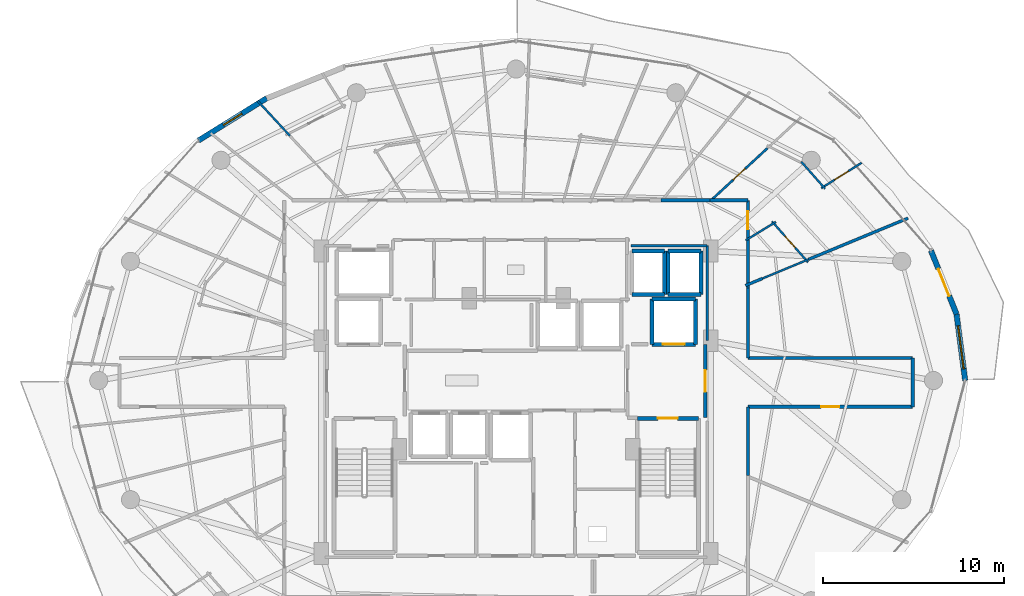
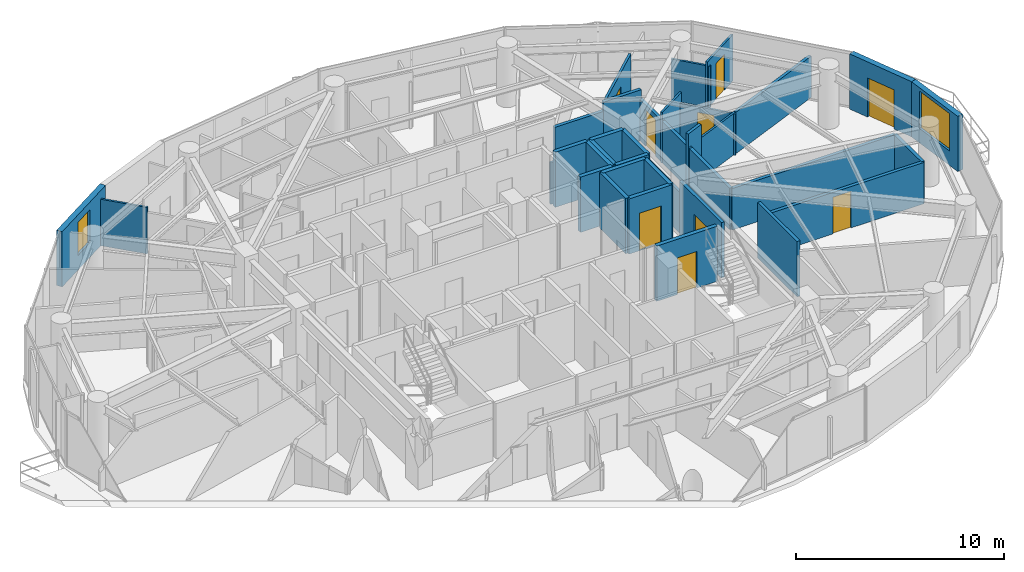
# One storey, part 24 of 28: 36 walls, 9 doors, 2 windows, 11 openings.
"""IFC4 building model written with IfcOpenShell, lengths in metres."""

from ifc_helpers import new_model, si_unit, direction, frame, frame_2d, origin, place, context, subcontext, project, spatial, rectangle, extrude, material, layer, layer_set, type_object, element, fill, save


model = new_model("IFC4")

# Units and contexts
model_context = context("Model", 3, precision=1e-05, world=origin(), true_north=direction((0.0, 1.0)))
body_context = subcontext(model_context, "Body", "Model", "MODEL_VIEW")
ifc_project = project(units=[si_unit("LENGTHUNIT", "METRE"), si_unit("AREAUNIT", "SQUARE_METRE"), si_unit("VOLUMEUNIT", "CUBIC_METRE"), si_unit("PLANEANGLEUNIT", "RADIAN"), si_unit("MASSUNIT", "GRAM", prefix="KILO")], contexts=[model_context])

# Site, building, storey
site_placement = place(None, origin())
site = spatial("IfcSite", under=ifc_project, at=site_placement, CompositionType="ELEMENT")
building_placement = place(site_placement, origin())
building = spatial("IfcBuilding", under=site, at=building_placement, Name="Vorneva Point Tower", CompositionType="ELEMENT")
storey_placement = place(building_placement, frame((0.0, 0.0, 139.60009765625)))
storey = spatial("IfcBuildingStorey", under=building, at=storey_placement, Name="L37", CompositionType="ELEMENT", Elevation=139.60009765625)

# Wall, opening, door
ifc_material_1 = material(Name="Concrete B60 (C50/60)", Category="concrete")
ifc_layer_1 = layer(ifc_material_1, 0.5)
ifc_layer_set_1 = layer_set([ifc_layer_1], Name="Concrete B60 (C50/60)")
wall_type_1 = type_object("IfcWallType", Name="WL-CORE-500", PredefinedType="SHEAR", material=ifc_layer_set_1)
wall_1_placement = place(storey_placement, frame((45.5, 28.0, 0.0), z_axis=(0.0, 0.0, 1.0), x_axis=(1.0, 0.0, 0.0)))
wall_1 = element("IfcWall", 1, at=wall_1_placement, inside=storey, type_object=wall_type_1, Name="L37 Lift FFL2 Shaft Wall -Y", PredefinedType="SHEAR", context=body_context, shape_type="SweptSolid", body=[
    extrude(rectangle(XDim=2.39990234375, YDim=0.219970703125, at=frame_2d((1.199951171875, 0.0))), origin(), (0.0, 0.0, 1.0), 3.239990234375),
])
opening_1_placement = place(wall_1_placement, frame((0.60009765625, 0.0, 0.0)))
opening_1 = element("IfcOpeningElement", 2, at=opening_1_placement, cuts=wall_1, Name="Opening LD-02", PredefinedType="OPENING", context=body_context, shape_type="SweptSolid", body=[
    extrude(rectangle(XDim=1.199951171875, YDim=2.199951171875, at=frame_2d((0.60009765625, 1.10009765625))), frame((0.0, 0.125, 0.0), z_axis=(0.0, -1.0, 0.0), x_axis=(1.0, 0.0, 0.0)), (0.0, 0.0, 1.0), 0.249755859375),
])
ifc_material_2 = material(Name="Brushed stainless steel S304", Category="steel")
door_type_1 = type_object("IfcDoorType", Name="LD-FIRE-1200", OperationType="SLIDING_TO_LEFT", PredefinedType="DOOR", material=ifc_material_2)
door_1_placement = place(opening_1_placement, origin())
door_1 = element("IfcDoor", 3, at=door_1_placement, inside=storey, type_object=door_type_1, Name="L37 Lift FFL2 Sliding Landing Door", OperationType="SLIDING_TO_LEFT", OverallHeight=2.199951171875, OverallWidth=1.199951171875, PredefinedType="DOOR", context=body_context, shape_type="SweptSolid", body=[
    extrude(rectangle(XDim=1.199951171875, YDim=2.199951171875, at=frame_2d((0.60009765625, 1.10009765625))), frame((0.0, 0.02490234375, 0.0), z_axis=(0.0, -1.0, 0.0), x_axis=(1.0, 0.0, 0.0)), (0.0, 0.0, 1.0), 0.050048828125),
])
fill(opening_1, door_1)

# Walls
wall_2_placement = place(storey_placement, frame((47.89990234375, 28.0, 0.0), z_axis=(0.0, 0.0, 1.0), x_axis=(0.0, 1.0, 0.0)))
element("IfcWall", 4, at=wall_2_placement, inside=storey, type_object=wall_type_1, Name="L37 Lift FFL2 Shaft Wall +X", PredefinedType="SHEAR", context=body_context, shape_type="SweptSolid", body=[
    extrude(rectangle(XDim=2.5, YDim=0.219970703125, at=frame_2d((1.25, 0.0))), origin(), (0.0, 0.0, 1.0), 3.239990234375),
])
wall_3_placement = place(storey_placement, frame((47.89990234375, 30.5, 0.0), z_axis=(0.0, 0.0, 1.0), x_axis=(-1.0, 0.0, 0.0)))
element("IfcWall", 5, at=wall_3_placement, inside=storey, type_object=wall_type_1, Name="L37 Lift FFL2 Shaft Wall +Y", PredefinedType="SHEAR", context=body_context, shape_type="SweptSolid", body=[
    extrude(rectangle(XDim=2.39990234375, YDim=0.219970703125, at=frame_2d((1.199951171875, 0.0))), origin(), (0.0, 0.0, 1.0), 3.239990234375),
])
wall_4_placement = place(storey_placement, frame((45.5, 30.5, 0.0), z_axis=(0.0, 0.0, 1.0), x_axis=(0.0, -1.0, 0.0)))
element("IfcWall", 6, at=wall_4_placement, inside=storey, type_object=wall_type_1, Name="L37 Lift FFL2 Shaft Wall -X", PredefinedType="SHEAR", context=body_context, shape_type="SweptSolid", body=[
    extrude(rectangle(XDim=2.5, YDim=0.219970703125, at=frame_2d((1.25, 0.0))), origin(), (0.0, 0.0, 1.0), 3.239990234375),
])

# Wall, opening, window
ifc_material_3 = material(Name="Precast concrete B50 (C40/50)", Category="concrete")
ifc_layer_2 = layer(ifc_material_3, 0.300048828125)
ifc_layer_set_2 = layer_set([ifc_layer_2], Name="Precast concrete B50 (C40/50)")
wall_type_2 = type_object("IfcWallType", Name="WL-EXT-300", PredefinedType="STANDARD", material=ifc_layer_set_2)
wall_5_placement = place(storey_placement, frame((62.800048828125, 26.0, 0.0), z_axis=(0.0, 0.0, 1.0), x_axis=(-0.129189225186, 0.991619959509, 0.0)))
wall_5 = element("IfcWall", 7, at=wall_5_placement, inside=storey, type_object=wall_type_2, Name="L37 Pale-Metal Facade Spandrel Wall 01.1", PredefinedType="STANDARD", context=body_context, shape_type="SweptSolid", body=[
    extrude(rectangle(XDim=3.68896484375, YDim=0.300048828125, at=frame_2d((1.844482421875, 0.0))), origin(), (0.0, 0.0, 1.0), 3.239990234375),
])
opening_2_placement = place(wall_5_placement, frame((0.644287109375, 0.0, 0.85009765625)))
opening_2 = element("IfcOpeningElement", 8, at=opening_2_placement, cuts=wall_5, Name="Opening W-03", PredefinedType="OPENING", context=body_context, shape_type="SweptSolid", body=[
    extrude(rectangle(XDim=2.39990234375, YDim=2.18994140625, at=frame_2d((1.199951171875, 1.094970703125))), frame((0.0, 0.1650390625, 0.0), z_axis=(0.0, -1.0, 0.0), x_axis=(1.0, 0.0, 0.0)), (0.0, 0.0, 1.0), 0.329833984375),
])
ifc_material_4 = material(Name="Double low-e laminated glass IGU", Category="glass")
window_type_1 = type_object("IfcWindowType", Name="WN-RES-2400", PartitioningType="SINGLE_PANEL", PredefinedType="WINDOW", material=ifc_material_4)
window_1_placement = place(opening_2_placement, origin())
window_1 = element("IfcWindow", 9, at=window_1_placement, inside=storey, type_object=window_type_1, Name="L37 Facade Window 01", OverallHeight=2.18994140625, OverallWidth=2.39990234375, PartitioningType="SINGLE_PANEL", PredefinedType="WINDOW", context=body_context, shape_type="SweptSolid", body=[
    extrude(rectangle(XDim=2.39990234375, YDim=2.18994140625, at=frame_2d((1.199951171875, 1.094970703125))), frame((0.0, 0.030029296875, 0.0), z_axis=(0.0, -1.0, 0.0), x_axis=(1.0, 0.0, 0.0)), (0.0, 0.0, 1.0), 0.06005859375),
])
fill(opening_2, window_1)

# Wall, opening, door
wall_6_placement = place(storey_placement, frame((62.323486328125, 29.657958984375, 0.0), z_axis=(0.0, 0.0, 1.0), x_axis=(-0.372401154411, 0.928071861546, 0.0)))
wall_6 = element("IfcWall", 10, at=wall_6_placement, inside=storey, type_object=wall_type_2, Name="L37 Pale-Metal Facade Spandrel Wall 01.2", PredefinedType="STANDARD", context=body_context, shape_type="SweptSolid", body=[
    extrude(rectangle(XDim=3.7900390625, YDim=0.300048828125, at=frame_2d((1.89501953125, 0.0))), origin(), (0.0, 0.0, 1.0), 3.239990234375),
])
opening_3_placement = place(wall_6_placement, frame((1.094970703125, 0.0, 0.0)))
opening_3 = element("IfcOpeningElement", 11, at=opening_3_placement, cuts=wall_6, Name="Opening BD-01", PredefinedType="OPENING", context=body_context, shape_type="SweptSolid", body=[
    extrude(rectangle(XDim=1.60009765625, YDim=2.300048828125, at=frame_2d((0.800048828125, 1.14990234375))), frame((0.0, 0.1650390625, 0.0), z_axis=(0.0, -1.0, 0.0), x_axis=(1.0, 0.0, 0.0)), (0.0, 0.0, 1.0), 0.329833984375),
])
ifc_material_5 = material(Name="Pale anodised aluminium", Category="aluminium")
door_type_2 = type_object("IfcDoorType", Name="DR-BAL-1600", OperationType="SLIDING_TO_LEFT", PredefinedType="DOOR", material=ifc_material_5)
door_2_placement = place(opening_3_placement, origin())
door_2 = element("IfcDoor", 12, at=door_2_placement, inside=storey, type_object=door_type_2, Name="L37 Balcony Terrace Access Door 01", OperationType="SLIDING_TO_LEFT", OverallHeight=2.300048828125, OverallWidth=1.60009765625, PredefinedType="DOOR", context=body_context, shape_type="SweptSolid", body=[
    extrude(rectangle(XDim=1.60009765625, YDim=2.300048828125, at=frame_2d((0.800048828125, 1.14990234375))), frame((0.0, 0.02490234375, 0.0), z_axis=(0.0, -1.0, 0.0), x_axis=(1.0, 0.0, 0.0)), (0.0, 0.0, 1.0), 0.050048828125),
])
fill(opening_3, door_2)

# Wall, opening, window
wall_7_placement = place(storey_placement, frame((24.221923828125, 41.590087890625, 0.0), z_axis=(0.0, 0.0, 1.0), x_axis=(-0.849721181976, -0.527232313977, 0.0)))
wall_7 = element("IfcWall", 13, at=wall_7_placement, inside=storey, type_object=wall_type_2, Name="L37 Pale-Metal Facade Spandrel Wall 06.2", PredefinedType="STANDARD", context=body_context, shape_type="SweptSolid", body=[
    extrude(rectangle(XDim=4.422607421875, YDim=0.300048828125, at=frame_2d((2.21142578125, 0.0))), origin(), (0.0, 0.0, 1.0), 3.239990234375),
])
opening_4_placement = place(wall_7_placement, frame((1.611328125, 0.0, 0.85009765625)))
opening_4 = element("IfcOpeningElement", 14, at=opening_4_placement, cuts=wall_7, Name="Opening W-04", PredefinedType="OPENING", context=body_context, shape_type="SweptSolid", body=[
    extrude(rectangle(XDim=1.199951171875, YDim=1.949951171875, at=frame_2d((0.60009765625, 0.97509765625))), frame((0.0, 0.1650390625, 0.0), z_axis=(0.0, -1.0, 0.0), x_axis=(1.0, 0.0, 0.0)), (0.0, 0.0, 1.0), 0.329833984375),
])
window_type_2 = type_object("IfcWindowType", Name="WN-RES-1200", PartitioningType="SINGLE_PANEL", PredefinedType="WINDOW", material=ifc_material_4)
window_2_placement = place(opening_4_placement, origin())
window_2 = element("IfcWindow", 15, at=window_2_placement, inside=storey, type_object=window_type_2, Name="L37 Dwelling Vision Window 01", OverallHeight=1.949951171875, OverallWidth=1.199951171875, PartitioningType="SINGLE_PANEL", PredefinedType="WINDOW", context=body_context, shape_type="SweptSolid", body=[
    extrude(rectangle(XDim=1.199951171875, YDim=1.949951171875, at=frame_2d((0.60009765625, 0.97509765625))), frame((0.0, 0.030029296875, 0.0), z_axis=(0.0, -1.0, 0.0), x_axis=(1.0, 0.0, 0.0)), (0.0, 0.0, 1.0), 0.06005859375),
])
fill(opening_4, window_2)

# Wall
ifc_material_6 = material(Name="Fire-rated acoustic gypsum stud partition", Category="gypsum")
ifc_layer_3 = layer(ifc_material_6, 0.110107421875)
ifc_layer_set_3 = layer_set([ifc_layer_3], Name="Fire-rated acoustic gypsum stud partition")
wall_type_3 = type_object("IfcWallType", Name="WL-PART-110", PredefinedType="PARTITIONING", material=ifc_layer_set_3)
wall_8_placement = place(storey_placement, frame((50.680419921875, 33.742919921875, 0.0), z_axis=(0.0, 0.0, 1.0), x_axis=(0.853368681548, 0.52130786811, 0.0)))
element("IfcWall", 16, at=wall_8_placement, inside=storey, type_object=wall_type_3, Name="L37 Interior Partition 069", PredefinedType="PARTITIONING", context=body_context, shape_type="SweptSolid", body=[
    extrude(rectangle(XDim=1.9453125, YDim=0.110107421875, at=frame_2d((0.97265625, 0.0))), origin(), (0.0, 0.0, 1.0), 2.971923828125),
])

# Wall, opening, door
wall_9_placement = place(storey_placement, frame((52.12841796875, 34.788818359375, 0.0), z_axis=(0.0, 0.0, 1.0), x_axis=(0.66196248337, -0.74953697081, 0.0)))
wall_9 = element("IfcWall", 17, at=wall_9_placement, inside=storey, type_object=wall_type_3, Name="L37 Interior Partition 070", PredefinedType="PARTITIONING", context=body_context, shape_type="SweptSolid", body=[
    extrude(rectangle(XDim=3.008056640625, YDim=0.110107421875, at=frame_2d((1.50390625, 0.0))), origin(), (0.0, 0.0, 1.0), 2.431884765625),
])
opening_5_placement = place(wall_9_placement, frame((1.0791015625, 0.0, 0.0)))
opening_5 = element("IfcOpeningElement", 18, at=opening_5_placement, cuts=wall_9, Name="Opening ID-02", PredefinedType="OPENING", context=body_context, shape_type="SweptSolid", body=[
    extrude(rectangle(XDim=0.85009765625, YDim=2.10009765625, at=frame_2d((0.425048828125, 1.050048828125))), frame((0.0, 0.06982421875, 0.0), z_axis=(0.0, -1.0, 0.0), x_axis=(1.0, 0.0, 0.0)), (0.0, 0.0, 1.0), 0.139892578125),
])
ifc_material_7 = material(Name="Engineered oak fire-rated door leaf", Category="wood")
door_type_3 = type_object("IfcDoorType", Name="DR-BATH-850", OperationType="NOTDEFINED", PredefinedType="DOOR", material=ifc_material_7)
door_3_placement = place(opening_5_placement, origin())
door_3 = element("IfcDoor", 19, at=door_3_placement, inside=storey, type_object=door_type_3, Name="L37 Door Living and Dining Room L37-01 / Bathroom L37-01", OperationType="SINGLE_SWING_LEFT", OverallHeight=2.10009765625, OverallWidth=0.85009765625, PredefinedType="DOOR", context=body_context, shape_type="SweptSolid", body=[
    extrude(rectangle(XDim=0.85009765625, YDim=2.10009765625, at=frame_2d((0.425048828125, 1.050048828125))), frame((0.0, 0.02490234375, 0.0), z_axis=(0.0, -1.0, 0.0), x_axis=(1.0, 0.0, 0.0)), (0.0, 0.0, 1.0), 0.050048828125),
])
fill(opening_5, door_3)

# Walls
wall_10_placement = place(storey_placement, frame((54.15625, 32.692626953125, 0.0), z_axis=(0.0, 0.0, 1.0), x_axis=(-0.923770555063, -0.382946421316, 0.0)))
element("IfcWall", 20, at=wall_10_placement, inside=storey, type_object=wall_type_3, Name="L37 Interior Partition 071", PredefinedType="PARTITIONING", context=body_context, shape_type="SweptSolid", body=[
    extrude(rectangle(XDim=2.888671875, YDim=0.110107421875, at=frame_2d((1.4443359375, 0.0))), origin(), (0.0, 0.0, 1.0), 2.431884765625),
])
wall_11_placement = place(storey_placement, frame((55.064697265625, 36.591064453125, 0.0), z_axis=(0.0, 0.0, 1.0), x_axis=(-0.66216897397, 0.749354555542, 0.0)))
element("IfcWall", 21, at=wall_11_placement, inside=storey, type_object=wall_type_3, Name="L37 Interior Partition 072", PredefinedType="PARTITIONING", context=body_context, shape_type="SweptSolid", body=[
    extrude(rectangle(XDim=1.990966796875, YDim=0.110107421875, at=frame_2d((0.99560546875, 0.0))), origin(), (0.0, 0.0, 1.0), 2.431884765625),
])

# Wall, opening, door
wall_12_placement = place(storey_placement, frame((57.075439453125, 38.021484375, 0.0), z_axis=(0.0, 0.0, 1.0), x_axis=(-0.846034075758, -0.533128823697, 0.0)))
wall_12 = element("IfcWall", 22, at=wall_12_placement, inside=storey, type_object=wall_type_3, Name="L37 Interior Partition 075", PredefinedType="PARTITIONING", context=body_context, shape_type="SweptSolid", body=[
    extrude(rectangle(XDim=2.626220703125, YDim=0.110107421875, at=frame_2d((1.31298828125, 0.0))), origin(), (0.0, 0.0, 1.0), 2.727783203125),
])
opening_6_placement = place(wall_12_placement, frame((0.863037109375, 0.0, 0.0)))
opening_6 = element("IfcOpeningElement", 23, at=opening_6_placement, cuts=wall_12, Name="Opening ID-01", PredefinedType="OPENING", context=body_context, shape_type="SweptSolid", body=[
    extrude(rectangle(XDim=0.89990234375, YDim=2.10009765625, at=frame_2d((0.449951171875, 1.050048828125))), frame((0.0, 0.06982421875, 0.0), z_axis=(0.0, -1.0, 0.0), x_axis=(1.0, 0.0, 0.0)), (0.0, 0.0, 1.0), 0.139892578125),
])
door_type_4 = type_object("IfcDoorType", Name="DR-ROOM-900", OperationType="NOTDEFINED", PredefinedType="DOOR", material=ifc_material_7)
door_4_placement = place(opening_6_placement, origin())
door_4 = element("IfcDoor", 24, at=door_4_placement, inside=storey, type_object=door_type_4, Name="L37 Door Living and Dining Room L37-01 / Kitchen L37-01", OperationType="SINGLE_SWING_RIGHT", OverallHeight=2.10009765625, OverallWidth=0.89990234375, PredefinedType="DOOR", context=body_context, shape_type="SweptSolid", body=[
    extrude(rectangle(XDim=0.89990234375, YDim=2.10009765625, at=frame_2d((0.449951171875, 1.050048828125))), frame((0.0, 0.02490234375, 0.0), z_axis=(0.0, -1.0, 0.0), x_axis=(1.0, 0.0, 0.0)), (0.0, 0.0, 1.0), 0.050048828125),
])
fill(opening_6, door_4)

# Wall
wall_13_placement = place(storey_placement, frame((25.5048828125, 39.51708984375, 0.0), z_axis=(0.0, 0.0, 1.0), x_axis=(-0.678720806978, 0.734396395808, 0.0)))
element("IfcWall", 25, at=wall_13_placement, inside=storey, type_object=wall_type_3, Name="L37 Interior Partition 097", PredefinedType="PARTITIONING", context=body_context, shape_type="SweptSolid", body=[
    extrude(rectangle(XDim=2.622314453125, YDim=0.110107421875, at=frame_2d((1.31103515625, 0.0))), origin(), (0.0, 0.0, 1.0), 2.727783203125),
])

# Wall, opening, door
ifc_layer_4 = layer(ifc_material_6, 0.125)
ifc_layer_set_4 = layer_set([ifc_layer_4], Name="Fire-rated acoustic gypsum stud partition")
wall_type_4 = type_object("IfcWallType", Name="WL-PART-125", PredefinedType="PARTITIONING", material=ifc_layer_set_4)
wall_14_placement = place(storey_placement, frame((51.873779296875, 38.824462890625, 0.0), z_axis=(0.0, 0.0, 1.0), x_axis=(-0.734347971597, -0.678773199685, 0.0)))
wall_14 = element("IfcWall", 26, at=wall_14_placement, inside=storey, type_object=wall_type_4, Name="L37 Interior Partition 076", PredefinedType="PARTITIONING", context=body_context, shape_type="SweptSolid", body=[
    extrude(rectangle(XDim=4.23486328125, YDim=0.125, at=frame_2d((2.117431640625, 0.0))), origin(), (0.0, 0.0, 1.0), 2.921875),
])
opening_7_placement = place(wall_14_placement, frame((1.66748046875, 0.0, 0.0)))
opening_7 = element("IfcOpeningElement", 27, at=opening_7_placement, cuts=wall_14, Name="Opening ID-01", PredefinedType="OPENING", context=body_context, shape_type="SweptSolid", body=[
    extrude(rectangle(XDim=0.89990234375, YDim=2.10009765625, at=frame_2d((0.449951171875, 1.050048828125))), frame((0.0, 0.077392578125, 0.0), z_axis=(0.0, -1.0, 0.0), x_axis=(1.0, 0.0, 0.0)), (0.0, 0.0, 1.0), 0.15478515625),
])
door_5_placement = place(opening_7_placement, origin())
door_5 = element("IfcDoor", 28, at=door_5_placement, inside=storey, type_object=door_type_4, Name="L37 Door Living and Dining Room L37-01 / Master Bedroom L37-01.1", OperationType="SINGLE_SWING_LEFT", OverallHeight=2.10009765625, OverallWidth=0.89990234375, PredefinedType="DOOR", context=body_context, shape_type="SweptSolid", body=[
    extrude(rectangle(XDim=0.89990234375, YDim=2.10009765625, at=frame_2d((0.449951171875, 1.050048828125))), frame((0.0, 0.02490234375, 0.0), z_axis=(0.0, -1.0, 0.0), x_axis=(1.0, 0.0, 0.0)), (0.0, 0.0, 1.0), 0.050048828125),
])
fill(opening_7, door_5)

# Walls
ifc_layer_5 = layer(ifc_material_6, 0.139892578125)
ifc_layer_set_5 = layer_set([ifc_layer_5], Name="Fire-rated acoustic gypsum stud partition")
wall_type_5 = type_object("IfcWallType", Name="WL-PART-140", PredefinedType="PARTITIONING", material=ifc_layer_set_5)
wall_15_placement = place(storey_placement, frame((48.550048828125, 28.196044921875, 0.0), z_axis=(0.0, 0.0, 1.0), x_axis=(0.0, 1.0, 0.0)))
element("IfcWall", 29, at=wall_15_placement, inside=storey, type_object=wall_type_5, Name="L37 Interior Closure Partition 145", PredefinedType="PARTITIONING", context=body_context, shape_type="SweptSolid", body=[
    extrude(rectangle(XDim=5.25390625, YDim=0.139892578125, at=frame_2d((2.626953125, 0.0))), origin(), (0.0, 0.0, 1.0), 2.431884765625),
])
wall_16_placement = place(storey_placement, frame((48.550048828125, 33.449951171875, 0.0), z_axis=(0.0, 0.0, 1.0), x_axis=(-1.0, 0.0, 0.0)))
element("IfcWall", 30, at=wall_16_placement, inside=storey, type_object=wall_type_5, Name="L37 Interior Closure Partition 146", PredefinedType="PARTITIONING", context=body_context, shape_type="SweptSolid", body=[
    extrude(rectangle(XDim=4.2099609375, YDim=0.139892578125, at=frame_2d((2.10498046875, 0.0))), origin(), (0.0, 0.0, 1.0), 2.431884765625),
])
ifc_layer_6 = layer(ifc_material_6, 0.159912109375)
ifc_layer_set_6 = layer_set([ifc_layer_6], Name="Fire-rated acoustic gypsum stud partition")
wall_type_6 = type_object("IfcWallType", Name="WL-PART-160", PredefinedType="PARTITIONING", material=ifc_layer_set_6)
wall_17_placement = place(storey_placement, frame((54.156494140625, 32.692138671875, 0.0), z_axis=(0.0, 0.0, 1.0), x_axis=(0.923849528339, 0.382755860814, 0.0)))
element("IfcWall", 31, at=wall_17_placement, inside=storey, type_object=wall_type_6, Name="L37 Interior Partition 077", PredefinedType="PARTITIONING", context=body_context, shape_type="SweptSolid", body=[
    extrude(rectangle(XDim=5.94091796875, YDim=0.159912109375, at=frame_2d((2.970458984375, 0.0))), origin(), (0.0, 0.0, 1.0), 2.431884765625),
])
wall_18_placement = place(storey_placement, frame((50.670654296875, 31.24853515625, 0.0), z_axis=(0.0, 0.0, 1.0), x_axis=(0.924089428906, 0.38217630406, 0.0)))
element("IfcWall", 32, at=wall_18_placement, inside=storey, type_object=wall_type_6, Name="L37 Interior Partition 078", PredefinedType="PARTITIONING", context=body_context, shape_type="SweptSolid", body=[
    extrude(rectangle(XDim=1.02392578125, YDim=0.159912109375, at=frame_2d((0.511962890625, 0.0))), origin(), (0.0, 0.0, 1.0), 3.239990234375),
])

# Wall, opening, door
ifc_material_8 = material(Name="Autoclaved aerated concrete blockwork", Category="masonry")
ifc_layer_7 = layer(ifc_material_8, 0.179931640625)
ifc_layer_set_7 = layer_set([ifc_layer_7], Name="Autoclaved aerated concrete blockwork")
wall_type_7 = type_object("IfcWallType", Name="WL-PART-180", PredefinedType="PARTITIONING", material=ifc_layer_set_7)
wall_19_placement = place(storey_placement, frame((48.449951171875, 23.949951171875, 0.0), z_axis=(0.0, 0.0, 1.0), x_axis=(0.0, 1.0, 0.0)))
wall_19 = element("IfcWall", 33, at=wall_19_placement, inside=storey, type_object=wall_type_7, Name="L37 Interior Partition 005", PredefinedType="PARTITIONING", context=body_context, shape_type="SweptSolid", body=[
    extrude(rectangle(XDim=4.050048828125, YDim=0.179931640625, at=frame_2d((2.02490234375, 0.0))), origin(), (0.0, 0.0, 1.0), 3.239990234375),
])
opening_8_placement = place(wall_19_placement, frame((1.425048828125, 0.0, 0.0)))
opening_8 = element("IfcOpeningElement", 34, at=opening_8_placement, cuts=wall_19, Name="Opening FD-02", PredefinedType="OPENING", context=body_context, shape_type="SweptSolid", body=[
    extrude(rectangle(XDim=1.199951171875, YDim=2.14990234375, at=frame_2d((0.60009765625, 1.074951171875))), frame((0.0, 0.10498046875, 0.0), z_axis=(0.0, -1.0, 0.0), x_axis=(1.0, 0.0, 0.0)), (0.0, 0.0, 1.0), 0.209716796875),
])
ifc_material_9 = material(Name="Fire-rated powder-coated steel", Category="steel")
door_type_5 = type_object("IfcDoorType", Name="DR-FFL-1200", OperationType="NOTDEFINED", PredefinedType="DOOR", material=ifc_material_9)
door_6_placement = place(opening_8_placement, origin())
door_6 = element("IfcDoor", 35, at=door_6_placement, inside=storey, type_object=door_type_5, Name="L37 Door East Firefighting Lobby / L37 Circulation Corridor", OperationType="SINGLE_SWING_LEFT", OverallHeight=2.14990234375, OverallWidth=1.199951171875, PredefinedType="DOOR", context=body_context, shape_type="SweptSolid", body=[
    extrude(rectangle(XDim=1.199951171875, YDim=2.14990234375, at=frame_2d((0.60009765625, 1.074951171875))), frame((0.0, 0.02490234375, 0.0), z_axis=(0.0, -1.0, 0.0), x_axis=(1.0, 0.0, 0.0)), (0.0, 0.0, 1.0), 0.050048828125),
])
fill(opening_8, door_6)

wall_20_placement = place(storey_placement, frame((50.800048828125, 33.756103515625, 0.0), z_axis=(0.0, 0.0, 1.0), x_axis=(0.0, 1.0, 0.0)))
wall_20 = element("IfcWall", 36, at=wall_20_placement, inside=storey, type_object=wall_type_7, Name="L37 Interior Partition 030", PredefinedType="PARTITIONING", context=body_context, shape_type="SweptSolid", body=[
    extrude(rectangle(XDim=2.19384765625, YDim=0.179931640625, at=frame_2d((1.096923828125, 0.0))), origin(), (0.0, 0.0, 1.0), 2.431884765625),
])
opening_9_placement = place(wall_20_placement, frame((0.596923828125, 0.0, 0.0)))
opening_9 = element("IfcOpeningElement", 37, at=opening_9_placement, cuts=wall_20, Name="Opening UD-01", PredefinedType="OPENING", context=body_context, shape_type="SweptSolid", body=[
    extrude(rectangle(XDim=1.0, YDim=2.14990234375, at=frame_2d((0.5, 1.074951171875))), frame((0.0, 0.10498046875, 0.0), z_axis=(0.0, -1.0, 0.0), x_axis=(1.0, 0.0, 0.0)), (0.0, 0.0, 1.0), 0.209716796875),
])
door_type_6 = type_object("IfcDoorType", Name="DR-UNIT-1000", OperationType="NOTDEFINED", PredefinedType="DOOR", material=ifc_material_7)
door_7_placement = place(opening_9_placement, origin())
door_7 = element("IfcDoor", 38, at=door_7_placement, inside=storey, type_object=door_type_6, Name="L37 Door L37 Circulation Corridor / Living and Dining Room L37-01", OperationType="SINGLE_SWING_LEFT", OverallHeight=2.14990234375, OverallWidth=1.0, PredefinedType="DOOR", context=body_context, shape_type="SweptSolid", body=[
    extrude(rectangle(XDim=1.0, YDim=2.14990234375, at=frame_2d((0.5, 1.074951171875))), frame((0.0, 0.02490234375, 0.0), z_axis=(0.0, -1.0, 0.0), x_axis=(1.0, 0.0, 0.0)), (0.0, 0.0, 1.0), 0.050048828125),
])
fill(opening_9, door_7)

# Walls
wall_21_placement = place(storey_placement, frame((50.800048828125, 35.949951171875, 0.0), z_axis=(0.0, 0.0, 1.0), x_axis=(-1.0, 0.0, 0.0)))
element("IfcWall", 39, at=wall_21_placement, inside=storey, type_object=wall_type_7, Name="L37 Interior Partition 031", PredefinedType="PARTITIONING", context=body_context, shape_type="SweptSolid", body=[
    extrude(rectangle(XDim=2.095947265625, YDim=0.179931640625, at=frame_2d((1.0478515625, 0.0))), origin(), (0.0, 0.0, 1.0), 2.971923828125),
])
wall_22_placement = place(storey_placement, frame((50.800048828125, 31.10205078125, 0.0), z_axis=(0.0, 0.0, 1.0), x_axis=(0.0, 1.0, 0.0)))
element("IfcWall", 40, at=wall_22_placement, inside=storey, type_object=wall_type_7, Name="L37 Interior Partition 032", PredefinedType="PARTITIONING", context=body_context, shape_type="SweptSolid", body=[
    extrude(rectangle(XDim=2.7939453125, YDim=0.179931640625, at=frame_2d((1.39697265625, 0.0))), origin(), (0.0, 0.0, 1.0), 2.431884765625),
])
wall_23_placement = place(storey_placement, frame((48.7041015625, 35.949951171875, 0.0), z_axis=(0.0, 0.0, 1.0), x_axis=(-1.0, 0.0, 0.0)))
element("IfcWall", 41, at=wall_23_placement, inside=storey, type_object=wall_type_7, Name="L37 Interior Partition 033", PredefinedType="PARTITIONING", context=body_context, shape_type="SweptSolid", body=[
    extrude(rectangle(XDim=2.70703125, YDim=0.179931640625, at=frame_2d((1.353515625, 0.0))), origin(), (0.0, 0.0, 1.0), 2.431884765625),
])
wall_24_placement = place(storey_placement, frame((50.800048828125, 20.758056640625, 0.0), z_axis=(0.0, 0.0, 1.0), x_axis=(0.0, 1.0, 0.0)))
element("IfcWall", 42, at=wall_24_placement, inside=storey, type_object=wall_type_7, Name="L37 Interior Partition 064", PredefinedType="PARTITIONING", context=body_context, shape_type="SweptSolid", body=[
    extrude(rectangle(XDim=3.7919921875, YDim=0.179931640625, at=frame_2d((1.89599609375, 0.0))), origin(), (0.0, 0.0, 1.0), 3.239990234375),
])

# Wall, opening, door
wall_25_placement = place(storey_placement, frame((50.800048828125, 24.550048828125, 0.0), z_axis=(0.0, 0.0, 1.0), x_axis=(1.0, 0.0, 0.0)))
wall_25 = element("IfcWall", 43, at=wall_25_placement, inside=storey, type_object=wall_type_7, Name="L37 Interior Partition 065", PredefinedType="PARTITIONING", context=body_context, shape_type="SweptSolid", body=[
    extrude(rectangle(XDim=9.099853515625, YDim=0.179931640625, at=frame_2d((4.5498046875, 0.0))), origin(), (0.0, 0.0, 1.0), 2.431884765625),
])
opening_10_placement = place(wall_25_placement, frame((4.050048828125, 0.0, 0.0)))
opening_10 = element("IfcOpeningElement", 44, at=opening_10_placement, cuts=wall_25, Name="Opening UD-01", PredefinedType="OPENING", context=body_context, shape_type="SweptSolid", body=[
    extrude(rectangle(XDim=1.0, YDim=2.14990234375, at=frame_2d((0.5, 1.074951171875))), frame((0.0, 0.10498046875, 0.0), z_axis=(0.0, -1.0, 0.0), x_axis=(1.0, 0.0, 0.0)), (0.0, 0.0, 1.0), 0.209716796875),
])
door_8_placement = place(opening_10_placement, origin())
door_8 = element("IfcDoor", 45, at=door_8_placement, inside=storey, type_object=door_type_6, Name="L37 Door L37 Circulation Corridor / Residents Co-Working Office L37-08", OperationType="SINGLE_SWING_RIGHT", OverallHeight=2.14990234375, OverallWidth=1.0, PredefinedType="DOOR", context=body_context, shape_type="SweptSolid", body=[
    extrude(rectangle(XDim=1.0, YDim=2.14990234375, at=frame_2d((0.5, 1.074951171875))), frame((0.0, 0.02490234375, 0.0), z_axis=(0.0, -1.0, 0.0), x_axis=(1.0, 0.0, 0.0)), (0.0, 0.0, 1.0), 0.050048828125),
])
fill(opening_10, door_8)

# Walls
wall_26_placement = place(storey_placement, frame((59.89990234375, 24.550048828125, 0.0), z_axis=(0.0, 0.0, 1.0), x_axis=(0.0, 1.0, 0.0)))
element("IfcWall", 46, at=wall_26_placement, inside=storey, type_object=wall_type_7, Name="L37 Interior Partition 066", PredefinedType="PARTITIONING", context=body_context, shape_type="SweptSolid", body=[
    extrude(rectangle(XDim=2.699951171875, YDim=0.179931640625, at=frame_2d((1.35009765625, 0.0))), origin(), (0.0, 0.0, 1.0), 2.431884765625),
])
wall_27_placement = place(storey_placement, frame((59.89990234375, 27.25, 0.0), z_axis=(0.0, 0.0, 1.0), x_axis=(-1.0, 0.0, 0.0)))
element("IfcWall", 47, at=wall_27_placement, inside=storey, type_object=wall_type_7, Name="L37 Interior Partition 067", PredefinedType="PARTITIONING", context=body_context, shape_type="SweptSolid", body=[
    extrude(rectangle(XDim=9.099853515625, YDim=0.179931640625, at=frame_2d((4.5498046875, 0.0))), origin(), (0.0, 0.0, 1.0), 2.431884765625),
])
wall_28_placement = place(storey_placement, frame((50.800048828125, 27.25, 0.0), z_axis=(0.0, 0.0, 1.0), x_axis=(0.0, 1.0, 0.0)))
element("IfcWall", 48, at=wall_28_placement, inside=storey, type_object=wall_type_7, Name="L37 Interior Partition 068", PredefinedType="PARTITIONING", context=body_context, shape_type="SweptSolid", body=[
    extrude(rectangle(XDim=3.85205078125, YDim=0.179931640625, at=frame_2d((1.926025390625, 0.0))), origin(), (0.0, 0.0, 1.0), 2.431884765625),
])

# Wall, opening, door
ifc_material_10 = material(Name="Concrete B50 (C40/50)", Category="concrete")
ifc_layer_8 = layer(ifc_material_10, 0.219970703125)
ifc_layer_set_8 = layer_set([ifc_layer_8], Name="Concrete B50 (C40/50)")
wall_type_8 = type_object("IfcWallType", Name="WL-SHFT-220", PredefinedType="SOLIDWALL", material=ifc_layer_set_8)
wall_29_placement = place(storey_placement, frame((44.68994140625, 23.909912109375, 0.0), z_axis=(0.0, 0.0, 1.0), x_axis=(1.0, 0.0, 0.0)))
wall_29 = element("IfcWall", 49, at=wall_29_placement, inside=storey, type_object=wall_type_8, Name="L37 Exit Stair ST2 Shaft Wall near", PredefinedType="SOLIDWALL", context=body_context, shape_type="SweptSolid", body=[
    extrude(rectangle(XDim=3.3701171875, YDim=0.219970703125, at=frame_2d((1.68505859375, 0.0))), origin(), (0.0, 0.0, 1.0), 3.239990234375),
])
opening_11_placement = place(wall_29_placement, frame((1.135009765625, 0.0, 0.0)))
opening_11 = element("IfcOpeningElement", 50, at=opening_11_placement, cuts=wall_29, Name="Opening FD-01", PredefinedType="OPENING", context=body_context, shape_type="SweptSolid", body=[
    extrude(rectangle(XDim=1.10009765625, YDim=2.14990234375, at=frame_2d((0.550048828125, 1.074951171875))), frame((0.0, 0.125, 0.0), z_axis=(0.0, -1.0, 0.0), x_axis=(1.0, 0.0, 0.0)), (0.0, 0.0, 1.0), 0.249755859375),
])
door_type_7 = type_object("IfcDoorType", Name="DR-STAIR-1100", OperationType="NOTDEFINED", PredefinedType="DOOR", material=ifc_material_9)
door_9_placement = place(opening_11_placement, origin())
door_9 = element("IfcDoor", 51, at=door_9_placement, inside=storey, type_object=door_type_7, Name="L37 Exit Stair ST2 Fire Door", OperationType="SINGLE_SWING_RIGHT", OverallHeight=2.14990234375, OverallWidth=1.10009765625, PredefinedType="DOOR", context=body_context, shape_type="SweptSolid", body=[
    extrude(rectangle(XDim=1.10009765625, YDim=2.14990234375, at=frame_2d((0.550048828125, 1.074951171875))), frame((0.0, 0.02490234375, 0.0), z_axis=(0.0, -1.0, 0.0), x_axis=(1.0, 0.0, 0.0)), (0.0, 0.0, 1.0), 0.050048828125),
])
fill(opening_11, door_9)

# Walls
wall_30_placement = place(storey_placement, frame((44.39990234375, 30.739990234375, 0.0), z_axis=(0.0, 0.0, 1.0), x_axis=(1.0, 0.0, 0.0)))
element("IfcWall", 52, at=wall_30_placement, inside=storey, type_object=wall_type_8, Name="L37 Lift EX1 Shaft Wall -Y", PredefinedType="SOLIDWALL", context=body_context, shape_type="SweptSolid", body=[
    extrude(rectangle(XDim=1.800048828125, YDim=0.219970703125, at=frame_2d((0.89990234375, 0.0))), origin(), (0.0, 0.0, 1.0), 3.239990234375),
])
wall_31_placement = place(storey_placement, frame((46.199951171875, 30.739990234375, 0.0), z_axis=(0.0, 0.0, 1.0), x_axis=(0.0, 1.0, 0.0)))
element("IfcWall", 53, at=wall_31_placement, inside=storey, type_object=wall_type_8, Name="L37 Lift EX1 Shaft Wall +X", PredefinedType="SOLIDWALL", context=body_context, shape_type="SweptSolid", body=[
    extrude(rectangle(XDim=2.419921875, YDim=0.219970703125, at=frame_2d((1.2099609375, 0.0))), origin(), (0.0, 0.0, 1.0), 3.239990234375),
])
for number, where, z_axis, x_axis, name in (
    (54, (46.199951171875, 33.159912109375, 0.0), (0.0, 0.0, 1.0), (-1.0, 0.0, 0.0), "L37 Lift EX1 Shaft Wall +Y"),
    (55, (46.39990234375, 30.739990234375, 0.0), (0.0, 0.0, 1.0), (1.0, 0.0, 0.0), "L37 Lift EX2 Shaft Wall -Y"),
):
    element("IfcWall", number, at=place(storey_placement, frame(where, z_axis=z_axis, x_axis=x_axis)), inside=storey, type_object=wall_type_8, Name=name, PredefinedType="SOLIDWALL", context=body_context, shape_type="SweptSolid", body=[
        extrude(rectangle(XDim=1.800048828125, YDim=0.219970703125, at=frame_2d((0.89990234375, 0.0))), origin(), (0.0, 0.0, 1.0), 3.239990234375),
    ])
wall_32_placement = place(storey_placement, frame((48.199951171875, 30.739990234375, 0.0), z_axis=(0.0, 0.0, 1.0), x_axis=(0.0, 1.0, 0.0)))
element("IfcWall", 56, at=wall_32_placement, inside=storey, type_object=wall_type_8, Name="L37 Lift EX2 Shaft Wall +X", PredefinedType="SOLIDWALL", context=body_context, shape_type="SweptSolid", body=[
    extrude(rectangle(XDim=2.419921875, YDim=0.219970703125, at=frame_2d((1.2099609375, 0.0))), origin(), (0.0, 0.0, 1.0), 3.239990234375),
])
wall_33_placement = place(storey_placement, frame((48.199951171875, 33.159912109375, 0.0), z_axis=(0.0, 0.0, 1.0), x_axis=(-1.0, 0.0, 0.0)))
element("IfcWall", 57, at=wall_33_placement, inside=storey, type_object=wall_type_8, Name="L37 Lift EX2 Shaft Wall +Y", PredefinedType="SOLIDWALL", context=body_context, shape_type="SweptSolid", body=[
    extrude(rectangle(XDim=1.800048828125, YDim=0.219970703125, at=frame_2d((0.89990234375, 0.0))), origin(), (0.0, 0.0, 1.0), 3.239990234375),
])
wall_34_placement = place(storey_placement, frame((46.39990234375, 33.159912109375, 0.0), z_axis=(0.0, 0.0, 1.0), x_axis=(0.0, -1.0, 0.0)))
element("IfcWall", 58, at=wall_34_placement, inside=storey, type_object=wall_type_8, Name="L37 Lift EX2 Shaft Wall -X", PredefinedType="SOLIDWALL", context=body_context, shape_type="SweptSolid", body=[
    extrude(rectangle(XDim=2.419921875, YDim=0.219970703125, at=frame_2d((1.2099609375, 0.0))), origin(), (0.0, 0.0, 1.0), 3.239990234375),
])

save(model, "model.ifc")
